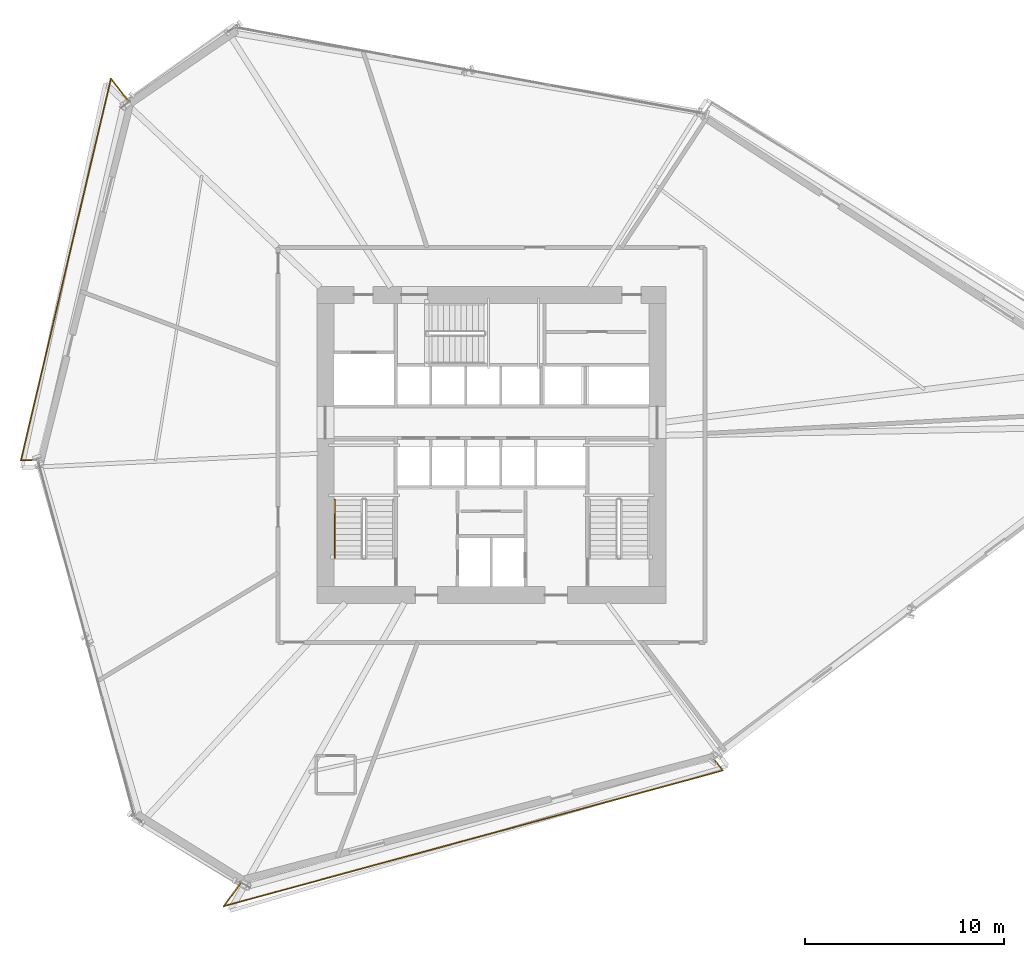
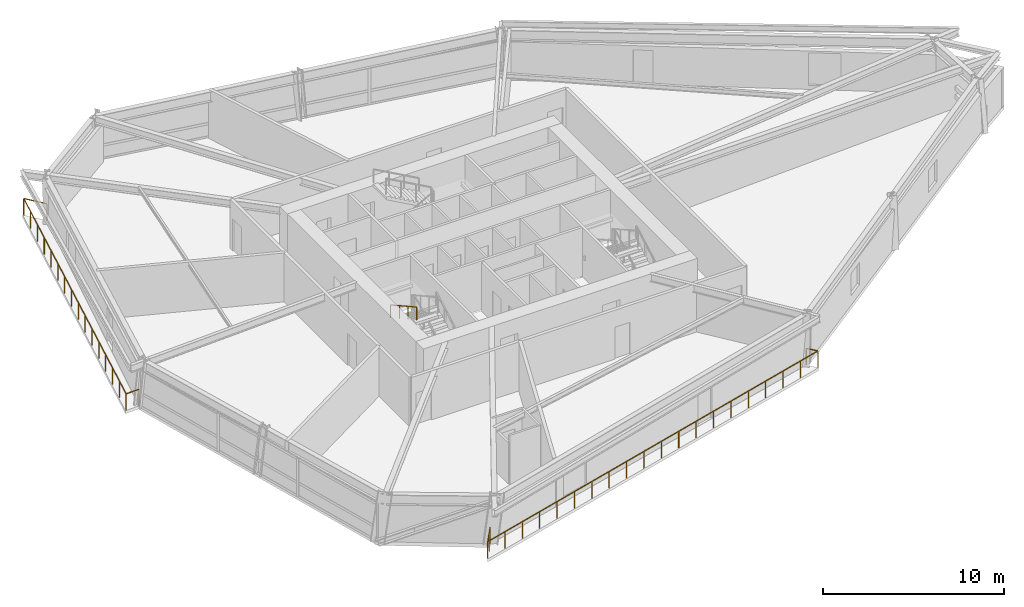
# One storey, part 18 of 20: 3 railings.
"""IFC4 building model written with IfcOpenShell, lengths in metres."""

from ifc_helpers import new_model, si_unit, direction, frame, origin, origin_2d, place, context, subcontext, project, spatial, rectangle, extrude, material, type_object, element, save


model = new_model("IFC4")

# Units and contexts
model_context = context("Model", 3, precision=1e-05, world=origin(), true_north=direction((0.0, 1.0)))
body_context = subcontext(model_context, "Body", "Model", "MODEL_VIEW")
ifc_project = project(units=[si_unit("LENGTHUNIT", "METRE"), si_unit("AREAUNIT", "SQUARE_METRE"), si_unit("VOLUMEUNIT", "CUBIC_METRE"), si_unit("PLANEANGLEUNIT", "RADIAN"), si_unit("MASSUNIT", "GRAM", prefix="KILO")], contexts=[model_context])

# Site, building, storey
site_placement = place(None, origin())
site = spatial("IfcSite", under=ifc_project, at=site_placement, CompositionType="ELEMENT")
building_placement = place(site_placement, origin())
building = spatial("IfcBuilding", under=site, at=building_placement, Name="Olszyna Solenne Hotel", CompositionType="ELEMENT")
storey_placement = place(building_placement, frame((0.0, 0.0, 43.5)))
storey = spatial("IfcBuildingStorey", under=building, at=storey_placement, Name="L10", CompositionType="ELEMENT", Elevation=43.5)

# Railings
ifc_material_1 = material(Name="Anodised bronze aluminium", Category="aluminium")
railing_type_1 = type_object("IfcRailingType", Name="GR-110", PredefinedType="BALUSTRADE", material=ifc_material_1)
railing_1_placement = place(storey_placement, frame((19.774658203125, 43.885009765625, 0.0)))
element("IfcRailing", 1, at=railing_1_placement, inside=storey, type_object=railing_type_1, Name="Loggia balcony balustrade guard GR-L10-LG2", PredefinedType="BALUSTRADE", context=body_context, shape_type="SweptSolid", body=[
    extrude(rectangle(XDim=0.048095703125, YDim=0.048095703125, at=origin_2d()), frame((0.0, 0.0, 1.1259765625), z_axis=(-0.620585058904, 0.784139136037, 0.0), x_axis=(-0.784139136037, -0.620585058904, 0.0)), (0.0, 0.0, 1.0), 1.37939453125),
    extrude(rectangle(XDim=0.048095703125, YDim=0.048095703125, at=origin_2d()), frame((-0.85595703125, 1.08154296875, 1.1259765625), z_axis=(-0.229509047842, -0.973306527749, 0.0), x_axis=(0.973306527749, -0.229509047842, 0.0)), (0.0, 0.0, 1.0), 19.669921875),
    extrude(rectangle(XDim=0.048095703125, YDim=0.048095703125, at=origin_2d()), frame((-5.370361328125, -18.063232421875, 1.1259765625), z_axis=(0.99925219691, 0.038665837247, 0.0), x_axis=(-0.038665837247, 0.99925219691, 0.0)), (0.0, 0.0, 1.0), 0.84619140625),
    extrude(rectangle(XDim=0.0419921875, YDim=0.0419921875, at=origin_2d()), origin(), (0.0, 0.0, 1.0), 1.101806640625),
    extrude(rectangle(XDim=0.0419921875, YDim=0.0419921875, at=origin_2d()), frame((-0.85595703125, 1.08154296875, 0.0)), (0.0, 0.0, 1.0), 1.101806640625),
    extrude(rectangle(XDim=0.0419921875, YDim=0.0419921875, at=origin_2d()), frame((-1.156982421875, -0.19482421875, 0.0)), (0.0, 0.0, 1.0), 1.101806640625),
    extrude(rectangle(XDim=0.0419921875, YDim=0.0419921875, at=origin_2d()), frame((-1.457763671875, -1.47119140625, 0.0)), (0.0, 0.0, 1.0), 1.101806640625),
    extrude(rectangle(XDim=0.0419921875, YDim=0.0419921875, at=origin_2d()), frame((-1.7587890625, -2.747314453125, 0.0)), (0.0, 0.0, 1.0), 1.101806640625),
    extrude(rectangle(XDim=0.0419921875, YDim=0.0419921875, at=origin_2d()), frame((-2.059814453125, -4.023681640625, 0.0)), (0.0, 0.0, 1.0), 1.101806640625),
    extrude(rectangle(XDim=0.0419921875, YDim=0.0419921875, at=origin_2d()), frame((-2.36083984375, -5.300048828125, 0.0)), (0.0, 0.0, 1.0), 1.101806640625),
    extrude(rectangle(XDim=0.0419921875, YDim=0.0419921875, at=origin_2d()), frame((-2.66162109375, -6.576416015625, 0.0)), (0.0, 0.0, 1.0), 1.101806640625),
    extrude(rectangle(XDim=0.0419921875, YDim=0.0419921875, at=origin_2d()), frame((-2.962646484375, -7.852783203125, 0.0)), (0.0, 0.0, 1.0), 1.101806640625),
    extrude(rectangle(XDim=0.0419921875, YDim=0.0419921875, at=origin_2d()), frame((-3.263671875, -9.12890625, 0.0)), (0.0, 0.0, 1.0), 1.101806640625),
    extrude(rectangle(XDim=0.0419921875, YDim=0.0419921875, at=origin_2d()), frame((-3.564697265625, -10.4052734375, 0.0)), (0.0, 0.0, 1.0), 1.101806640625),
    extrude(rectangle(XDim=0.0419921875, YDim=0.0419921875, at=origin_2d()), frame((-3.865478515625, -11.681640625, 0.0)), (0.0, 0.0, 1.0), 1.101806640625),
    extrude(rectangle(XDim=0.0419921875, YDim=0.0419921875, at=origin_2d()), frame((-4.16650390625, -12.9580078125, 0.0)), (0.0, 0.0, 1.0), 1.101806640625),
    extrude(rectangle(XDim=0.0419921875, YDim=0.0419921875, at=origin_2d()), frame((-4.467529296875, -14.234375, 0.0)), (0.0, 0.0, 1.0), 1.101806640625),
    extrude(rectangle(XDim=0.0419921875, YDim=0.0419921875, at=origin_2d()), frame((-4.7685546875, -15.510498046875, 0.0)), (0.0, 0.0, 1.0), 1.101806640625),
    extrude(rectangle(XDim=0.0419921875, YDim=0.0419921875, at=origin_2d()), frame((-5.0693359375, -16.786865234375, 0.0)), (0.0, 0.0, 1.0), 1.101806640625),
    extrude(rectangle(XDim=0.0419921875, YDim=0.0419921875, at=origin_2d()), frame((-5.370361328125, -18.063232421875, 0.0)), (0.0, 0.0, 1.0), 1.101806640625),
    extrude(rectangle(XDim=0.0419921875, YDim=0.0419921875, at=origin_2d()), frame((-4.52490234375, -18.030517578125, 0.0)), (0.0, 0.0, 1.0), 1.101806640625),
])
railing_2_placement = place(storey_placement, frame((25.413818359375, 4.6201171875, 0.0)))
element("IfcRailing", 2, at=railing_2_placement, inside=storey, type_object=railing_type_1, Name="Loggia balcony balustrade guard GR-L10-LG3", PredefinedType="BALUSTRADE", context=body_context, shape_type="SweptSolid", body=[
    extrude(rectangle(XDim=0.048095703125, YDim=0.048095703125, at=origin_2d()), frame((0.0, 0.0, 1.1259765625), z_axis=(-0.588427500223, -0.80854998422, 0.0), x_axis=(0.80854998422, -0.588427500223, 0.0)), (0.0, 0.0, 1.0), 1.41845703125),
    extrude(rectangle(XDim=0.048095703125, YDim=0.048095703125, at=origin_2d()), frame((-0.834716796875, -1.14697265625, 1.1259765625), z_axis=(0.964967108822, 0.26237088042, 0.0), x_axis=(-0.26237088042, 0.964967108822, 0.0)), (0.0, 0.0, 1.0), 25.931640625),
    extrude(rectangle(XDim=0.048095703125, YDim=0.048095703125, at=origin_2d()), frame((24.1884765625, 5.65673828125, 1.1259765625), z_axis=(-0.620757363413, 0.784002739644, 0.0), x_axis=(-0.784002739644, -0.620757363413, 0.0)), (0.0, 0.0, 1.0), 0.689453125),
    extrude(rectangle(XDim=0.0419921875, YDim=0.0419921875, at=origin_2d()), origin(), (0.0, 0.0, 1.0), 1.101806640625),
    extrude(rectangle(XDim=0.0419921875, YDim=0.0419921875, at=origin_2d()), frame((-0.41748046875, -0.573486328125, 0.0)), (0.0, 0.0, 1.0), 1.101806640625),
    extrude(rectangle(XDim=0.0419921875, YDim=0.0419921875, at=origin_2d()), frame((-0.834716796875, -1.14697265625, 0.0)), (0.0, 0.0, 1.0), 1.101806640625),
    extrude(rectangle(XDim=0.0419921875, YDim=0.0419921875, at=origin_2d()), frame((0.482177734375, -0.788818359375, 0.0)), (0.0, 0.0, 1.0), 1.101806640625),
    extrude(rectangle(XDim=0.0419921875, YDim=0.0419921875, at=origin_2d()), frame((1.79931640625, -0.430908203125, 0.0)), (0.0, 0.0, 1.0), 1.101806640625),
    extrude(rectangle(XDim=0.0419921875, YDim=0.0419921875, at=origin_2d()), frame((3.1162109375, -0.07275390625, 0.0)), (0.0, 0.0, 1.0), 1.101806640625),
    extrude(rectangle(XDim=0.0419921875, YDim=0.0419921875, at=origin_2d()), frame((4.433349609375, 0.285400390625, 0.0)), (0.0, 0.0, 1.0), 1.101806640625),
    extrude(rectangle(XDim=0.0419921875, YDim=0.0419921875, at=origin_2d()), frame((5.750244140625, 0.6435546875, 0.0)), (0.0, 0.0, 1.0), 1.101806640625),
    extrude(rectangle(XDim=0.0419921875, YDim=0.0419921875, at=origin_2d()), frame((7.0673828125, 1.00146484375, 0.0)), (0.0, 0.0, 1.0), 1.101806640625),
    extrude(rectangle(XDim=0.0419921875, YDim=0.0419921875, at=origin_2d()), frame((8.38427734375, 1.359619140625, 0.0)), (0.0, 0.0, 1.0), 1.101806640625),
    extrude(rectangle(XDim=0.0419921875, YDim=0.0419921875, at=origin_2d()), frame((9.701416015625, 1.7177734375, 0.0)), (0.0, 0.0, 1.0), 1.101806640625),
    extrude(rectangle(XDim=0.0419921875, YDim=0.0419921875, at=origin_2d()), frame((11.018310546875, 2.075927734375, 0.0)), (0.0, 0.0, 1.0), 1.101806640625),
    extrude(rectangle(XDim=0.0419921875, YDim=0.0419921875, at=origin_2d()), frame((12.33544921875, 2.433837890625, 0.0)), (0.0, 0.0, 1.0), 1.101806640625),
    extrude(rectangle(XDim=0.0419921875, YDim=0.0419921875, at=origin_2d()), frame((13.65234375, 2.7919921875, 0.0)), (0.0, 0.0, 1.0), 1.101806640625),
    extrude(rectangle(XDim=0.0419921875, YDim=0.0419921875, at=origin_2d()), frame((14.969482421875, 3.150146484375, 0.0)), (0.0, 0.0, 1.0), 1.101806640625),
    extrude(rectangle(XDim=0.0419921875, YDim=0.0419921875, at=origin_2d()), frame((16.286376953125, 3.50830078125, 0.0)), (0.0, 0.0, 1.0), 1.101806640625),
    extrude(rectangle(XDim=0.0419921875, YDim=0.0419921875, at=origin_2d()), frame((17.603515625, 3.8662109375, 0.0)), (0.0, 0.0, 1.0), 1.101806640625),
    extrude(rectangle(XDim=0.0419921875, YDim=0.0419921875, at=origin_2d()), frame((18.92041015625, 4.224365234375, 0.0)), (0.0, 0.0, 1.0), 1.101806640625),
    extrude(rectangle(XDim=0.0419921875, YDim=0.0419921875, at=origin_2d()), frame((20.237548828125, 4.58251953125, 0.0)), (0.0, 0.0, 1.0), 1.101806640625),
    extrude(rectangle(XDim=0.0419921875, YDim=0.0419921875, at=origin_2d()), frame((21.554443359375, 4.940673828125, 0.0)), (0.0, 0.0, 1.0), 1.101806640625),
    extrude(rectangle(XDim=0.0419921875, YDim=0.0419921875, at=origin_2d()), frame((22.87158203125, 5.298583984375, 0.0)), (0.0, 0.0, 1.0), 1.101806640625),
    extrude(rectangle(XDim=0.0419921875, YDim=0.0419921875, at=origin_2d()), frame((24.1884765625, 5.65673828125, 0.0)), (0.0, 0.0, 1.0), 1.101806640625),
    extrude(rectangle(XDim=0.0419921875, YDim=0.0419921875, at=origin_2d()), frame((23.760498046875, 6.197265625, 0.0)), (0.0, 0.0, 1.0), 1.101806640625),
])
ifc_material_2 = material(Name="Steel S355J2", Category="steel")
railing_type_2 = type_object("IfcRailingType", Name="HR-090", PredefinedType="HANDRAIL", material=ifc_material_2)
railing_3_placement = place(storey_placement, frame((30.14990234375, 23.85009765625, 1.936279296875)))
element("IfcRailing", 3, at=railing_3_placement, inside=storey, type_object=railing_type_2, Name="L10 ST1 stair handrail 2", PredefinedType="HANDRAIL", context=body_context, shape_type="SweptSolid", body=[
    extrude(rectangle(XDim=0.048095703125, YDim=0.048095703125, at=origin_2d()), frame((0.0, 0.0, 0.8759765625), z_axis=(0.0, -0.873827439584, 0.48623616261), x_axis=(1.0, 0.0, 0.0)), (0.0, 0.0, 1.0), 3.31884765625),
    extrude(rectangle(XDim=0.0419921875, YDim=0.0419921875, at=origin_2d()), origin(), (0.0, 0.0, 1.0), 0.851806640625),
    extrude(rectangle(XDim=0.0419921875, YDim=0.0419921875, at=origin_2d()), frame((0.0, -0.966796875, 0.537841796875)), (0.0, 0.0, 1.0), 0.851806640625),
    extrude(rectangle(XDim=0.0419921875, YDim=0.0419921875, at=origin_2d()), frame((0.0, -1.933349609375, 1.075927734375)), (0.0, 0.0, 1.0), 0.851806640625),
    extrude(rectangle(XDim=0.0419921875, YDim=0.0419921875, at=origin_2d()), frame((0.0, -2.900146484375, 1.61376953125)), (0.0, 0.0, 1.0), 0.851806640625),
])

save(model, "model.ifc")
